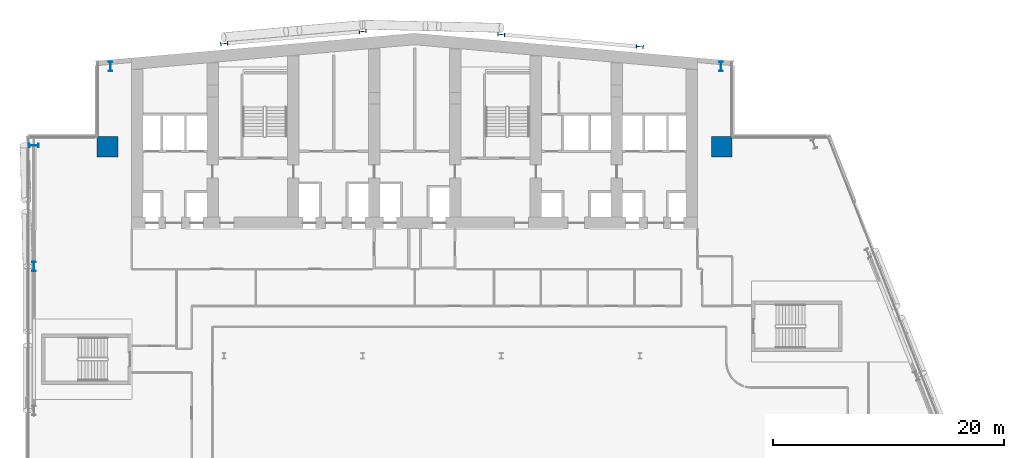
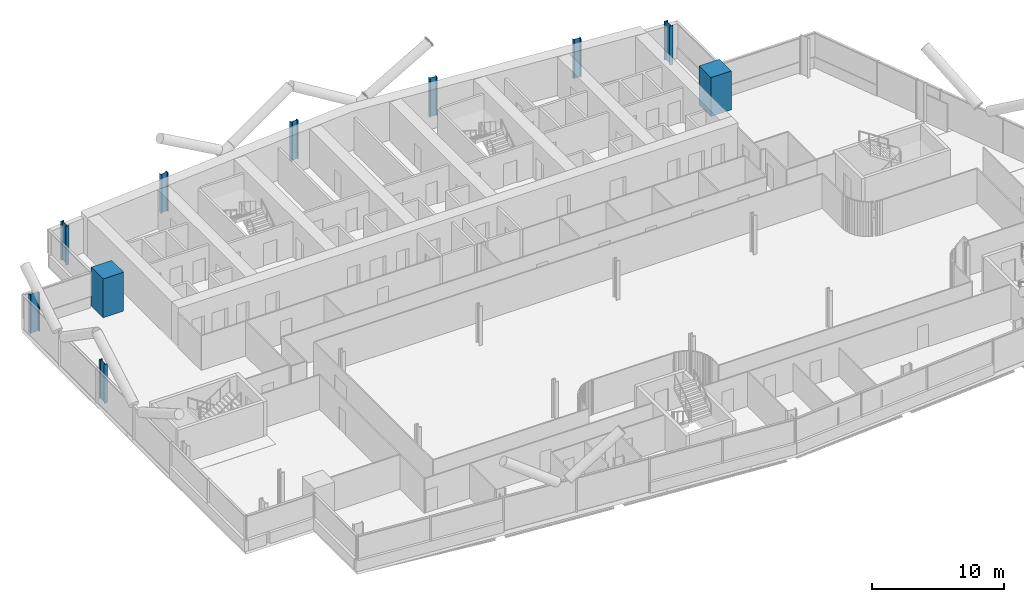
# One storey, part 3 of 31: 10 columns.
"""IFC4 building model written with IfcOpenShell, lengths in metres."""

from ifc_helpers import new_model, si_unit, direction, frame, origin, origin_2d, place, context, subcontext, project, spatial, rectangle, i_section, extrude, material, material_profile, profile_set, type_object, element, save


model = new_model("IFC4")

# Units and contexts
model_context = context("Model", 3, precision=1e-05, world=origin(), true_north=direction((0.0, 1.0)))
body_context = subcontext(model_context, "Body", "Model", "MODEL_VIEW")
ifc_project = project(units=[si_unit("LENGTHUNIT", "METRE"), si_unit("AREAUNIT", "SQUARE_METRE"), si_unit("VOLUMEUNIT", "CUBIC_METRE"), si_unit("PLANEANGLEUNIT", "RADIAN"), si_unit("MASSUNIT", "GRAM", prefix="KILO")], contexts=[model_context])

# Site, building, storey
site_placement = place(None, origin())
site = spatial("IfcSite", under=ifc_project, at=site_placement, CompositionType="ELEMENT")
building_placement = place(site_placement, origin())
building = spatial("IfcBuilding", under=site, at=building_placement, Name="Wharfspan Tower", CompositionType="ELEMENT")
storey_placement = place(building_placement, frame((0.0, 0.0, 103.899902)))
storey = spatial("IfcBuildingStorey", under=building, at=storey_placement, Name="L23", CompositionType="ELEMENT", Elevation=103.899902)

# Columns
ifc_material_1 = material(Name="Steel S355J2", Category="steel")
ifc_material_profile_1 = material_profile(ifc_material_1, i_section(OverallWidth=0.304932, OverallDepth=0.620117, WebThickness=0.020996, FlangeThickness=0.040039, FilletRadius=0.0271, at=origin_2d()))
ifc_profile_set_1 = profile_set([ifc_material_profile_1], Name="Steel S355J2")
column_type_1 = type_object("IfcColumnType", Name="Column HEM 600", PredefinedType="COLUMN", material=ifc_profile_set_1)
for number, where, z_axis, x_axis, name in (
    (1, (24.0, 50.027344, 0.0), (0.0, 0.0, 1.0), (-0.087156, 0.996198, 0.0), "Rear column R.1 L23"),
    (2, (36.0, 51.077148, 0.0), (0.0, 0.0, 1.0), (-0.087156, 0.996198, 0.0), "Rear column R.2 L23"),
    (3, (48.0, 50.814697, 0.0), (0.0, 0.0, 1.0), (0.087156, 0.996198, 0.0), "Rear column R.3 L23"),
    (4, (60.0, 49.764893, 0.0), (0.0, 0.0, 1.0), (0.087156, 0.996198, 0.0), "Rear column R.4 L23"),
):
    element("IfcColumn", number, at=place(storey_placement, frame(where, z_axis=z_axis, x_axis=x_axis)), inside=storey, type_object=column_type_1, Name=name, PredefinedType="COLUMN", context=body_context, shape_type="SweptSolid", body=[
        extrude(i_section(OverallWidth=0.304932, OverallDepth=0.620117, WebThickness=0.020996, FlangeThickness=0.040039, FilletRadius=0.0271, at=origin_2d()), origin(), (0.0, 0.0, 1.0), 3.600098),
    ])
ifc_material_profile_2 = material_profile(ifc_material_1, i_section(OverallWidth=0.302979, OverallDepth=0.813965, WebThickness=0.020996, FlangeThickness=0.040039, FilletRadius=0.030029, at=origin_2d()))
ifc_profile_set_2 = profile_set([ifc_material_profile_2], Name="Steel S355J2")
column_type_2 = type_object("IfcColumnType", Name="Column HEM 800", PredefinedType="COLUMN", material=ifc_profile_set_2)
for number, where, z_axis, x_axis, name in (
    (5, (67.031982, 48.035645, 0.0), (0.0, 0.0, 1.0), (1.0, 0.0, 0.0), "Perimeter column PNRE-V.1 L23"),
    (6, (14.171631, 48.03418, 0.0), (0.0, 0.0, 1.0), (-1.0, 0.0, 0.0), "Perimeter column PNRW-V.1 L23"),
    (7, (7.544434, 41.208008, 0.0), (0.0, 0.0, 1.0), (0.0, 1.0, 0.0), "Perimeter column PNRW-H.1 L23"),
    (8, (7.540039, 30.733398, 0.0), (0.0, 0.0, 1.0), (-1.0, 0.0, 0.0), "Perimeter column PW.1 L23"),
):
    element("IfcColumn", number, at=place(storey_placement, frame(where, z_axis=z_axis, x_axis=x_axis)), inside=storey, type_object=column_type_2, Name=name, PredefinedType="COLUMN", context=body_context, shape_type="SweptSolid", body=[
        extrude(i_section(OverallWidth=0.302979, OverallDepth=0.813965, WebThickness=0.020996, FlangeThickness=0.040039, FilletRadius=0.030029, at=origin_2d()), origin(), (0.0, 0.0, 1.0), 3.600098),
    ])
ifc_material_2 = material(Name="Concrete C70/85", Category="concrete")
ifc_material_profile_3 = material_profile(ifc_material_2, rectangle(XDim=1.800049, YDim=1.800049, at=origin_2d()))
ifc_profile_set_3 = profile_set([ifc_material_profile_3], Name="Concrete C70/85")
column_type_3 = type_object("IfcColumnType", Name="Mega column 1800 C70/85", PredefinedType="COLUMN", material=ifc_profile_set_3)
for number, where, z_axis, x_axis, name in (
    (9, (13.899902, 41.100098, 0.0), (0.0, 0.0, 1.0), (1.0, 0.0, 0.0), "Mega column MC2 L23"),
    (10, (67.100098, 41.100098, 0.0), (0.0, 0.0, 1.0), (1.0, 0.0, 0.0), "Mega column MC3 L23"),
):
    element("IfcColumn", number, at=place(storey_placement, frame(where, z_axis=z_axis, x_axis=x_axis)), inside=storey, type_object=column_type_3, Name=name, PredefinedType="COLUMN", context=body_context, shape_type="SweptSolid", body=[
        extrude(rectangle(XDim=1.800049, YDim=1.800049, at=origin_2d()), origin(), (0.0, 0.0, 1.0), 3.600098),
    ])

save(model, "model.ifc")
